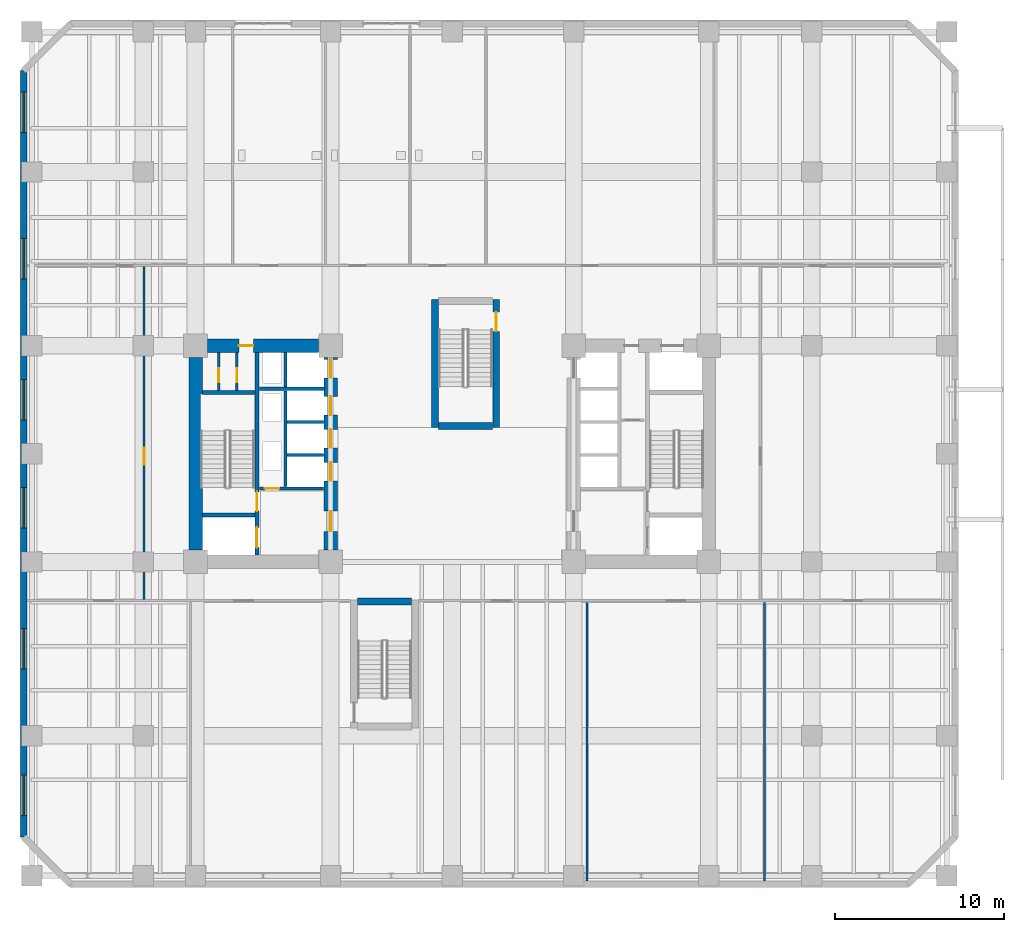
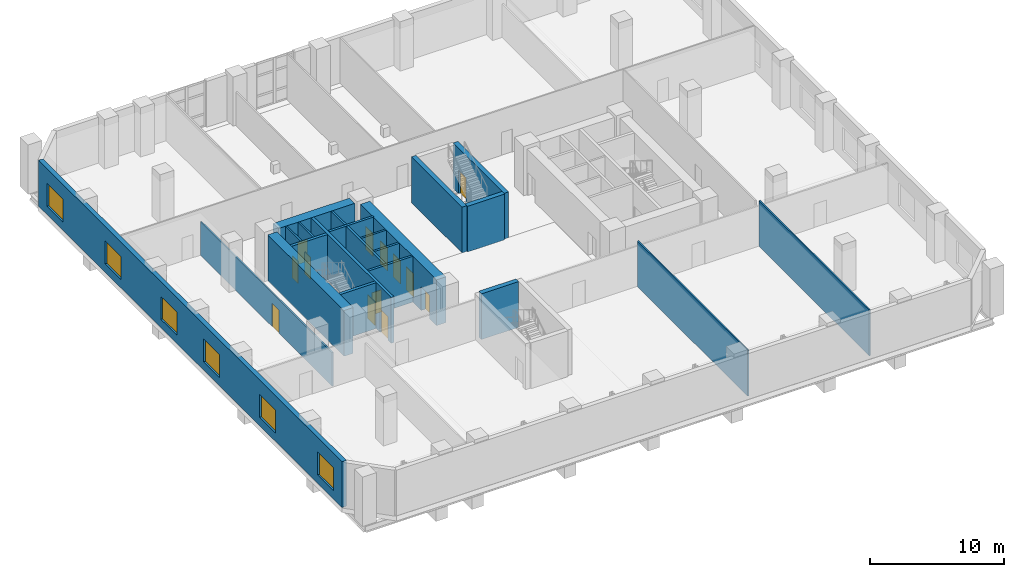
# One storey, part 7 of 15: 22 walls, 13 doors, 6 windows, 19 openings.
"""IFC4 building model written with IfcOpenShell, lengths in metres."""

from ifc_helpers import new_model, si_unit, direction, frame, frame_2d, origin, place, context, subcontext, project, spatial, rectangle, extrude, material, layer, layer_set, type_object, element, fill, save


model = new_model("IFC4")

# Units and contexts
model_context = context("Model", 3, precision=1e-05, world=origin(), true_north=direction((0.0, 1.0)))
body_context = subcontext(model_context, "Body", "Model", "MODEL_VIEW")
ifc_project = project(units=[si_unit("LENGTHUNIT", "METRE"), si_unit("AREAUNIT", "SQUARE_METRE"), si_unit("VOLUMEUNIT", "CUBIC_METRE"), si_unit("PLANEANGLEUNIT", "RADIAN"), si_unit("MASSUNIT", "GRAM", prefix="KILO")], contexts=[model_context])

# Site, building, storey
site_placement = place(None, origin())
site = spatial("IfcSite", under=ifc_project, at=site_placement, CompositionType="ELEMENT")
building_placement = place(site_placement, origin())
building = spatial("IfcBuilding", under=site, at=building_placement, Name="Kranthara Brick Stack", CompositionType="ELEMENT")
storey_placement = place(building_placement, frame((0.0, 0.0, 5.39990234375)))
storey = spatial("IfcBuildingStorey", under=building, at=storey_placement, Name="L01", CompositionType="ELEMENT", Elevation=5.39990234375)

# Wall, openings, windows
ifc_material_1 = material(Name="Kiln-fired clay brick masonry M15", Category="masonry")
ifc_layer_1 = layer(ifc_material_1, 0.3798828125)
ifc_layer_set_1 = layer_set([ifc_layer_1], Name="Kiln-fired clay brick masonry M15")
wall_type_1 = type_object("IfcWallType", Name="WL-BRK-PIER-380", PredefinedType="STANDARD", material=ifc_layer_set_1)
wall_1_placement = place(storey_placement, frame((2.610107421875, 4.5, 0.0), z_axis=(0.0, 0.0, 1.0), x_axis=(0.0, 1.0, 0.0)))
wall_1 = element("IfcWall", 1, at=wall_1_placement, inside=storey, type_object=wall_type_1, Name="L01 Exterior Brick Facade Wall WEST 1", PredefinedType="STANDARD", context=body_context, shape_type="SweptSolid", body=[
    extrude(rectangle(XDim=45.39990234375, YDim=0.3798828125, at=frame_2d((22.699951171875, 0.0))), origin(), (0.0, 0.0, 1.0), 4.18017578125),
])
opening_1_placement = place(wall_1_placement, frame((1.27490234375, 0.0, 0.75)))
opening_1 = element("IfcOpeningElement", 2, at=opening_1_placement, cuts=wall_1, Name="Opening WN11", PredefinedType="OPENING", context=body_context, shape_type="SweptSolid", body=[
    extrude(rectangle(XDim=2.39990234375, YDim=2.10009765625, at=frame_2d((1.199951171875, 1.050048828125))), frame((0.0, 0.199951171875, 0.0), z_axis=(0.0, -1.0, 0.0), x_axis=(1.0, 0.0, 0.0)), (0.0, 0.0, 1.0), 0.39990234375),
])
opening_2_placement = place(wall_1_placement, frame((9.949951171875, 0.0, 0.75)))
opening_2 = element("IfcOpeningElement", 3, at=opening_2_placement, cuts=wall_1, Name="Opening WN11", PredefinedType="OPENING", context=body_context, shape_type="SweptSolid", body=[
    extrude(rectangle(XDim=2.39990234375, YDim=2.10009765625, at=frame_2d((1.199951171875, 1.050048828125))), frame((0.0, 0.199951171875, 0.0), z_axis=(0.0, -1.0, 0.0), x_axis=(1.0, 0.0, 0.0)), (0.0, 0.0, 1.0), 0.39990234375),
])
opening_3_placement = place(wall_1_placement, frame((18.300048828125, 0.0, 0.75)))
opening_3 = element("IfcOpeningElement", 4, at=opening_3_placement, cuts=wall_1, Name="Opening WN11", PredefinedType="OPENING", context=body_context, shape_type="SweptSolid", body=[
    extrude(rectangle(XDim=2.39990234375, YDim=2.10009765625, at=frame_2d((1.199951171875, 1.050048828125))), frame((0.0, 0.199951171875, 0.0), z_axis=(0.0, -1.0, 0.0), x_axis=(1.0, 0.0, 0.0)), (0.0, 0.0, 1.0), 0.39990234375),
])
opening_4_placement = place(wall_1_placement, frame((24.699951171875, 0.0, 0.75)))
opening_4 = element("IfcOpeningElement", 5, at=opening_4_placement, cuts=wall_1, Name="Opening WN11", PredefinedType="OPENING", context=body_context, shape_type="SweptSolid", body=[
    extrude(rectangle(XDim=2.39990234375, YDim=2.10009765625, at=frame_2d((1.199951171875, 1.050048828125))), frame((0.0, 0.199951171875, 0.0), z_axis=(0.0, -1.0, 0.0), x_axis=(1.0, 0.0, 0.0)), (0.0, 0.0, 1.0), 0.39990234375),
])
opening_5_placement = place(wall_1_placement, frame((33.050048828125, 0.0, 0.75)))
opening_5 = element("IfcOpeningElement", 6, at=opening_5_placement, cuts=wall_1, Name="Opening WN11", PredefinedType="OPENING", context=body_context, shape_type="SweptSolid", body=[
    extrude(rectangle(XDim=2.39990234375, YDim=2.10009765625, at=frame_2d((1.199951171875, 1.050048828125))), frame((0.0, 0.199951171875, 0.0), z_axis=(0.0, -1.0, 0.0), x_axis=(1.0, 0.0, 0.0)), (0.0, 0.0, 1.0), 0.39990234375),
])
opening_6_placement = place(wall_1_placement, frame((41.72509765625, 0.0, 0.75)))
opening_6 = element("IfcOpeningElement", 7, at=opening_6_placement, cuts=wall_1, Name="Opening WN11", PredefinedType="OPENING", context=body_context, shape_type="SweptSolid", body=[
    extrude(rectangle(XDim=2.39990234375, YDim=2.10009765625, at=frame_2d((1.199951171875, 1.050048828125))), frame((0.0, 0.199951171875, 0.0), z_axis=(0.0, -1.0, 0.0), x_axis=(1.0, 0.0, 0.0)), (0.0, 0.0, 1.0), 0.39990234375),
])
ifc_material_2 = material(Name="Double-glazed low-E solar control glass", Category="glass")
window_type = type_object("IfcWindowType", Name="WN-POD-2400x2100", PartitioningType="TRIPLE_PANEL_VERTICAL", PredefinedType="WINDOW", material=ifc_material_2)
window_1_placement = place(opening_1_placement, origin())
window_1 = element("IfcWindow", 8, at=window_1_placement, inside=storey, type_object=window_type, Name="L01 WEST Podium Window", OverallHeight=2.10009765625, OverallWidth=2.39990234375, PartitioningType="SINGLE_PANEL", PredefinedType="WINDOW", context=body_context, shape_type="SweptSolid", body=[
    extrude(rectangle(XDim=2.39990234375, YDim=2.10009765625, at=frame_2d((1.199951171875, 1.050048828125))), frame((0.0, 0.030029296875, 0.0), z_axis=(0.0, -1.0, 0.0), x_axis=(1.0, 0.0, 0.0)), (0.0, 0.0, 1.0), 0.06005859375),
])
fill(opening_1, window_1)
window_2_placement = place(opening_2_placement, origin())
window_2 = element("IfcWindow", 9, at=window_2_placement, inside=storey, type_object=window_type, Name="L01 WEST Podium Window", OverallHeight=2.10009765625, OverallWidth=2.39990234375, PartitioningType="SINGLE_PANEL", PredefinedType="WINDOW", context=body_context, shape_type="SweptSolid", body=[
    extrude(rectangle(XDim=2.39990234375, YDim=2.10009765625, at=frame_2d((1.199951171875, 1.050048828125))), frame((0.0, 0.030029296875, 0.0), z_axis=(0.0, -1.0, 0.0), x_axis=(1.0, 0.0, 0.0)), (0.0, 0.0, 1.0), 0.06005859375),
])
fill(opening_2, window_2)
window_3_placement = place(opening_3_placement, origin())
window_3 = element("IfcWindow", 10, at=window_3_placement, inside=storey, type_object=window_type, Name="L01 WEST Podium Window", OverallHeight=2.10009765625, OverallWidth=2.39990234375, PartitioningType="SINGLE_PANEL", PredefinedType="WINDOW", context=body_context, shape_type="SweptSolid", body=[
    extrude(rectangle(XDim=2.39990234375, YDim=2.10009765625, at=frame_2d((1.199951171875, 1.050048828125))), frame((0.0, 0.030029296875, 0.0), z_axis=(0.0, -1.0, 0.0), x_axis=(1.0, 0.0, 0.0)), (0.0, 0.0, 1.0), 0.06005859375),
])
fill(opening_3, window_3)
window_4_placement = place(opening_4_placement, origin())
window_4 = element("IfcWindow", 11, at=window_4_placement, inside=storey, type_object=window_type, Name="L01 WEST Podium Window", OverallHeight=2.10009765625, OverallWidth=2.39990234375, PartitioningType="SINGLE_PANEL", PredefinedType="WINDOW", context=body_context, shape_type="SweptSolid", body=[
    extrude(rectangle(XDim=2.39990234375, YDim=2.10009765625, at=frame_2d((1.199951171875, 1.050048828125))), frame((0.0, 0.030029296875, 0.0), z_axis=(0.0, -1.0, 0.0), x_axis=(1.0, 0.0, 0.0)), (0.0, 0.0, 1.0), 0.06005859375),
])
fill(opening_4, window_4)
window_5_placement = place(opening_5_placement, origin())
window_5 = element("IfcWindow", 12, at=window_5_placement, inside=storey, type_object=window_type, Name="L01 WEST Podium Window", OverallHeight=2.10009765625, OverallWidth=2.39990234375, PartitioningType="SINGLE_PANEL", PredefinedType="WINDOW", context=body_context, shape_type="SweptSolid", body=[
    extrude(rectangle(XDim=2.39990234375, YDim=2.10009765625, at=frame_2d((1.199951171875, 1.050048828125))), frame((0.0, 0.030029296875, 0.0), z_axis=(0.0, -1.0, 0.0), x_axis=(1.0, 0.0, 0.0)), (0.0, 0.0, 1.0), 0.06005859375),
])
fill(opening_5, window_5)
window_6_placement = place(opening_6_placement, origin())
window_6 = element("IfcWindow", 13, at=window_6_placement, inside=storey, type_object=window_type, Name="L01 WEST Podium Window", OverallHeight=2.10009765625, OverallWidth=2.39990234375, PartitioningType="SINGLE_PANEL", PredefinedType="WINDOW", context=body_context, shape_type="SweptSolid", body=[
    extrude(rectangle(XDim=2.39990234375, YDim=2.10009765625, at=frame_2d((1.199951171875, 1.050048828125))), frame((0.0, 0.030029296875, 0.0), z_axis=(0.0, -1.0, 0.0), x_axis=(1.0, 0.0, 0.0)), (0.0, 0.0, 1.0), 0.06005859375),
])
fill(opening_6, window_6)

# Wall, openings, doors
ifc_material_3 = material(Name="Concrete C50/60", Category="concrete")
ifc_layer_2 = layer(ifc_material_3, 0.25)
ifc_layer_set_2 = layer_set([ifc_layer_2], Name="Concrete C50/60")
wall_type_2 = type_object("IfcWallType", Name="WL-CORE-250", PredefinedType="SHEAR", material=ifc_layer_set_2)
wall_2_placement = place(storey_placement, frame((16.43505859375, 21.2099609375, 0.0), z_axis=(0.0, 0.0, 1.0), x_axis=(0.0, 1.0, 0.0)))
wall_2 = element("IfcWall", 14, at=wall_2_placement, inside=storey, type_object=wall_type_2, Name="L01 West Core Stair Bearing Spine Wall", PredefinedType="SHEAR", context=body_context, shape_type="SweptSolid", body=[
    extrude(rectangle(XDim=11.97998046875, YDim=0.25, at=frame_2d((5.989990234375, 0.0))), origin(), (0.0, 0.0, 1.0), 4.18017578125),
])
opening_7_placement = place(wall_2_placement, frame((0.43994140625, 0.0, 0.0)))
opening_7 = element("IfcOpeningElement", 15, at=opening_7_placement, cuts=wall_2, Name="Opening LD01", PredefinedType="OPENING", context=body_context, shape_type="SweptSolid", body=[
    extrude(rectangle(XDim=1.199951171875, YDim=2.14990234375, at=frame_2d((0.60009765625, 1.074951171875))), frame((0.0, 0.135009765625, 0.0), z_axis=(0.0, -1.0, 0.0), x_axis=(1.0, 0.0, 0.0)), (0.0, 0.0, 1.0), 0.27001953125),
])
opening_8_placement = place(wall_2_placement, frame((2.590087890625, 0.0, 0.0)))
opening_8 = element("IfcOpeningElement", 16, at=opening_8_placement, cuts=wall_2, Name="Opening D05", PredefinedType="OPENING", context=body_context, shape_type="SweptSolid", body=[
    extrude(rectangle(XDim=1.14990234375, YDim=2.14990234375, at=frame_2d((0.574951171875, 1.074951171875))), frame((0.0, 0.135009765625, 0.0), z_axis=(0.0, -1.0, 0.0), x_axis=(1.0, 0.0, 0.0)), (0.0, 0.0, 1.0), 0.27001953125),
])
ifc_material_4 = material(Name="Stainless steel sliding landing door", Category="steel")
door_type_1 = type_object("IfcDoorType", Name="DR-LD-FF1200", OperationType="DOUBLE_DOOR_SLIDING", PredefinedType="DOOR", material=ifc_material_4)
door_1_placement = place(opening_7_placement, origin())
door_1 = element("IfcDoor", 17, at=door_1_placement, inside=storey, type_object=door_type_1, Name="L01 Firefighting Lift FF-01 Landing Door", OperationType="DOUBLE_DOOR_SLIDING", OverallHeight=2.14990234375, OverallWidth=1.199951171875, PredefinedType="DOOR", context=body_context, shape_type="SweptSolid", body=[
    extrude(rectangle(XDim=1.199951171875, YDim=2.14990234375, at=frame_2d((0.60009765625, 1.074951171875))), frame((0.0, 0.02490234375, 0.0), z_axis=(0.0, -1.0, 0.0), x_axis=(1.0, 0.0, 0.0)), (0.0, 0.0, 1.0), 0.050048828125),
])
fill(opening_7, door_1)
ifc_material_5 = material(Name="Solid-core hardwood timber leaf in steel frame", Category="steel")
door_type_2 = type_object("IfcDoorType", Name="DR-ST-1150", OperationType="NOTDEFINED", PredefinedType="DOOR", material=ifc_material_5)
door_2_placement = place(opening_8_placement, origin())
door_2 = element("IfcDoor", 18, at=door_2_placement, inside=storey, type_object=door_type_2, Name="L01 Exit Stair ST01 Door", OperationType="SINGLE_SWING_RIGHT", OverallHeight=2.14990234375, OverallWidth=1.14990234375, PredefinedType="DOOR", context=body_context, shape_type="SweptSolid", body=[
    extrude(rectangle(XDim=1.14990234375, YDim=2.14990234375, at=frame_2d((0.574951171875, 1.074951171875))), frame((0.0, 0.02490234375, 0.0), z_axis=(0.0, -1.0, 0.0), x_axis=(1.0, 0.0, 0.0)), (0.0, 0.0, 1.0), 0.050048828125),
])
fill(opening_8, door_2)

# Walls
for number, where, z_axis, x_axis, name in (
    (19, (13.2099609375, 23.570068359375, 0.0), (0.0, 0.0, 1.0), (1.0, 0.0, 0.0), "L01 West Stairwell Bearing Wall WFF"),
    (20, (13.2099609375, 30.830078125, 0.0), (0.0, 0.0, 1.0), (1.0, 0.0, 0.0), "L01 West Stairwell Bearing Wall WST"),
):
    element("IfcWall", number, at=place(storey_placement, frame(where, z_axis=z_axis, x_axis=x_axis)), inside=storey, type_object=wall_type_2, Name=name, PredefinedType="SHEAR", context=body_context, shape_type="SweptSolid", body=[
        extrude(rectangle(XDim=3.10009765625, YDim=0.25, at=frame_2d((1.550048828125, 0.0))), origin(), (0.0, 0.0, 1.0), 4.18017578125),
    ])
ifc_material_6 = material(Name="Concrete C50/60", Category="concrete")
ifc_layer_3 = layer(ifc_material_6, 0.39990234375)
ifc_layer_set_3 = layer_set([ifc_layer_3], Name="Concrete C50/60")
wall_type_3 = type_object("IfcWallType", Name="WL-CORE-400", PredefinedType="SHEAR", material=ifc_layer_set_3)
wall_3_placement = place(storey_placement, frame((22.39990234375, 18.449951171875, 0.0), z_axis=(0.0, 0.0, 1.0), x_axis=(1.0, 0.0, 0.0)))
element("IfcWall", 21, at=wall_3_placement, inside=storey, type_object=wall_type_3, Name="L01 Stair ST03 Bearing Wall N", PredefinedType="SHEAR", context=body_context, shape_type="SweptSolid", body=[
    extrude(rectangle(XDim=3.2001953125, YDim=0.39990234375, at=frame_2d((1.60009765625, 0.0))), origin(), (0.0, 0.0, 1.0), 4.18017578125),
])
wall_4_placement = place(storey_placement, frame((26.989990234375, 28.75, 0.0), z_axis=(0.0, 0.0, 1.0), x_axis=(0.0, 1.0, 0.0)))
element("IfcWall", 22, at=wall_4_placement, inside=storey, type_object=wall_type_3, Name="L01 Stair ST04 Bearing Wall W", PredefinedType="SHEAR", context=body_context, shape_type="SweptSolid", body=[
    extrude(rectangle(XDim=7.60009765625, YDim=0.39990234375, at=frame_2d((3.800048828125, 0.0))), origin(), (0.0, 0.0, 1.0), 4.18017578125),
])

# Wall, opening, door
wall_5_placement = place(storey_placement, frame((30.610107421875, 28.75, 0.0), z_axis=(0.0, 0.0, 1.0), x_axis=(0.0, 1.0, 0.0)))
wall_5 = element("IfcWall", 23, at=wall_5_placement, inside=storey, type_object=wall_type_3, Name="L01 Stair ST04 Bearing Wall E", PredefinedType="SHEAR", context=body_context, shape_type="SweptSolid", body=[
    extrude(rectangle(XDim=7.60009765625, YDim=0.39990234375, at=frame_2d((3.800048828125, 0.0))), origin(), (0.0, 0.0, 1.0), 4.18017578125),
])
opening_9_placement = place(wall_5_placement, frame((5.699951171875, 0.0, 0.0)))
opening_9 = element("IfcOpeningElement", 24, at=opening_9_placement, cuts=wall_5, Name="Opening D05", PredefinedType="OPENING", context=body_context, shape_type="SweptSolid", body=[
    extrude(rectangle(XDim=1.14990234375, YDim=2.14990234375, at=frame_2d((0.574951171875, 1.074951171875))), frame((0.0, 0.2099609375, 0.0), z_axis=(0.0, -1.0, 0.0), x_axis=(1.0, 0.0, 0.0)), (0.0, 0.0, 1.0), 0.419921875),
])
door_3_placement = place(opening_9_placement, origin())
door_3 = element("IfcDoor", 25, at=door_3_placement, inside=storey, type_object=door_type_2, Name="L01 Stair ST04 Door", OperationType="SINGLE_SWING_RIGHT", OverallHeight=2.14990234375, OverallWidth=1.14990234375, PredefinedType="DOOR", context=body_context, shape_type="SweptSolid", body=[
    extrude(rectangle(XDim=1.14990234375, YDim=2.14990234375, at=frame_2d((0.574951171875, 1.074951171875))), frame((0.0, 0.02490234375, 0.0), z_axis=(0.0, -1.0, 0.0), x_axis=(1.0, 0.0, 0.0)), (0.0, 0.0, 1.0), 0.050048828125),
])
fill(opening_9, door_3)

# Walls
wall_6_placement = place(storey_placement, frame((27.199951171875, 28.85009765625, 0.0), z_axis=(0.0, 0.0, 1.0), x_axis=(1.0, 0.0, 0.0)))
element("IfcWall", 26, at=wall_6_placement, inside=storey, type_object=wall_type_3, Name="L01 Stair ST04 Bearing Wall S", PredefinedType="SHEAR", context=body_context, shape_type="SweptSolid", body=[
    extrude(rectangle(XDim=3.199951171875, YDim=0.39990234375, at=frame_2d((1.60009765625, 0.0))), origin(), (0.0, 0.0, 1.0), 4.18017578125),
])
ifc_material_7 = material(Name="Concrete C70/85", Category="concrete")
ifc_layer_4 = layer(ifc_material_7, 0.800048828125)
ifc_layer_set_4 = layer_set([ifc_layer_4], Name="Concrete C70/85")
wall_type_4 = type_object("IfcWallType", Name="WL-CORE-800", PredefinedType="SHEAR", material=ifc_layer_set_4)
wall_7_placement = place(storey_placement, frame((12.800048828125, 21.5048828125, 0.0), z_axis=(0.0, 0.0, 1.0), x_axis=(0.0, 1.0, 0.0)))
element("IfcWall", 27, at=wall_7_placement, inside=storey, type_object=wall_type_4, Name="L01 West Core Shear Wall West", PredefinedType="SHEAR", context=body_context, shape_type="SweptSolid", body=[
    extrude(rectangle(XDim=11.39013671875, YDim=0.800048828125, at=frame_2d((5.695068359375, 0.0))), origin(), (0.0, 0.0, 1.0), 4.18017578125),
])

# Wall, opening, door
wall_8_placement = place(storey_placement, frame((13.5048828125, 33.60009765625, 0.0), z_axis=(0.0, 0.0, 1.0), x_axis=(1.0, 0.0, 0.0)))
wall_8 = element("IfcWall", 28, at=wall_8_placement, inside=storey, type_object=wall_type_4, Name="L01 West Core Shear Wall North", PredefinedType="SHEAR", context=body_context, shape_type="SweptSolid", body=[
    extrude(rectangle(XDim=6.590087890625, YDim=0.800048828125, at=frame_2d((3.294921875, 0.0))), origin(), (0.0, 0.0, 1.0), 4.18017578125),
])
opening_10_placement = place(wall_8_placement, frame((1.864990234375, 0.0, 0.0)))
opening_10 = element("IfcOpeningElement", 29, at=opening_10_placement, cuts=wall_8, Name="Opening D10", PredefinedType="OPENING", context=body_context, shape_type="SweptSolid", body=[
    extrude(rectangle(XDim=0.85009765625, YDim=2.02001953125, at=frame_2d((0.425048828125, 1.010009765625))), frame((0.0, 0.409912109375, 0.0), z_axis=(0.0, -1.0, 0.0), x_axis=(1.0, 0.0, 0.0)), (0.0, 0.0, 1.0), 0.820068359375),
])
ifc_material_8 = material(Name="Solid-core hardwood timber leaf in steel frame", Category="steel")
door_type_3 = type_object("IfcDoorType", Name="DR-RSR-850", OperationType="NOTDEFINED", PredefinedType="DOOR", material=ifc_material_8)
door_4_placement = place(opening_10_placement, origin())
door_4 = element("IfcDoor", 30, at=door_4_placement, inside=storey, type_object=door_type_3, Name="L01 West Core Service Door 1", OperationType="SINGLE_SWING_RIGHT", OverallHeight=2.02001953125, OverallWidth=0.85009765625, PredefinedType="DOOR", context=body_context, shape_type="SweptSolid", body=[
    extrude(rectangle(XDim=0.85009765625, YDim=2.02001953125, at=frame_2d((0.425048828125, 1.010009765625))), frame((0.0, 0.02490234375, 0.0), z_axis=(0.0, -1.0, 0.0), x_axis=(1.0, 0.0, 0.0)), (0.0, 0.0, 1.0), 0.050048828125),
])
fill(opening_10, door_4)

# Wall, openings, doors
wall_9_placement = place(storey_placement, frame((20.800048828125, 21.5048828125, 0.0), z_axis=(0.0, 0.0, 1.0), x_axis=(0.0, 1.0, 0.0)))
wall_9 = element("IfcWall", 31, at=wall_9_placement, inside=storey, type_object=wall_type_4, Name="L01 West Core Shear Wall East", PredefinedType="SHEAR", context=body_context, shape_type="SweptSolid", body=[
    extrude(rectangle(XDim=11.39013671875, YDim=0.800048828125, at=frame_2d((5.695068359375, 0.0))), origin(), (0.0, 0.0, 1.0), 4.18017578125),
])
opening_11_placement = place(wall_9_placement, frame((1.094970703125, 0.0, 0.0)))
opening_11 = element("IfcOpeningElement", 32, at=opening_11_placement, cuts=wall_9, Name="Opening D06", PredefinedType="OPENING", context=body_context, shape_type="SweptSolid", body=[
    extrude(rectangle(XDim=1.199951171875, YDim=2.14990234375, at=frame_2d((0.60009765625, 1.074951171875))), frame((0.0, 0.409912109375, 0.0), z_axis=(0.0, -1.0, 0.0), x_axis=(1.0, 0.0, 0.0)), (0.0, 0.0, 1.0), 0.820068359375),
])
opening_12_placement = place(wall_9_placement, frame((4.094970703125, 0.0, 0.0)))
opening_12 = element("IfcOpeningElement", 33, at=opening_12_placement, cuts=wall_9, Name="Opening LD02", PredefinedType="OPENING", context=body_context, shape_type="SweptSolid", body=[
    extrude(rectangle(XDim=1.10009765625, YDim=2.10009765625, at=frame_2d((0.550048828125, 1.050048828125))), frame((0.0, 0.409912109375, 0.0), z_axis=(0.0, -1.0, 0.0), x_axis=(1.0, 0.0, 0.0)), (0.0, 0.0, 1.0), 0.820068359375),
])
opening_13_placement = place(wall_9_placement, frame((6.044921875, 0.0, 0.0)))
opening_13 = element("IfcOpeningElement", 34, at=opening_13_placement, cuts=wall_9, Name="Opening LD02", PredefinedType="OPENING", context=body_context, shape_type="SweptSolid", body=[
    extrude(rectangle(XDim=1.10009765625, YDim=2.10009765625, at=frame_2d((0.550048828125, 1.050048828125))), frame((0.0, 0.409912109375, 0.0), z_axis=(0.0, -1.0, 0.0), x_axis=(1.0, 0.0, 0.0)), (0.0, 0.0, 1.0), 0.820068359375),
])
opening_14_placement = place(wall_9_placement, frame((7.9951171875, 0.0, 0.0)))
opening_14 = element("IfcOpeningElement", 35, at=opening_14_placement, cuts=wall_9, Name="Opening LD02", PredefinedType="OPENING", context=body_context, shape_type="SweptSolid", body=[
    extrude(rectangle(XDim=1.10009765625, YDim=2.10009765625, at=frame_2d((0.550048828125, 1.050048828125))), frame((0.0, 0.409912109375, 0.0), z_axis=(0.0, -1.0, 0.0), x_axis=(1.0, 0.0, 0.0)), (0.0, 0.0, 1.0), 0.820068359375),
])
opening_15_placement = place(wall_9_placement, frame((10.195068359375, 0.0, 0.0)))
opening_15 = element("IfcOpeningElement", 36, at=opening_15_placement, cuts=wall_9, Name="Opening LD02", PredefinedType="OPENING", context=body_context, shape_type="SweptSolid", body=[
    extrude(rectangle(XDim=1.10009765625, YDim=2.10009765625, at=frame_2d((0.550048828125, 1.050048828125))), frame((0.0, 0.409912109375, 0.0), z_axis=(0.0, -1.0, 0.0), x_axis=(1.0, 0.0, 0.0)), (0.0, 0.0, 1.0), 0.820068359375),
])
ifc_material_9 = material(Name="Solid-core hardwood timber leaf in steel frame", Category="steel")
door_type_4 = type_object("IfcDoorType", Name="DR-FFL-1200", OperationType="NOTDEFINED", PredefinedType="DOOR", material=ifc_material_9)
door_5_placement = place(opening_11_placement, origin())
door_5 = element("IfcDoor", 37, at=door_5_placement, inside=storey, type_object=door_type_4, Name="L01 West Firefighting Lobby Door", OperationType="SINGLE_SWING_LEFT", OverallHeight=2.14990234375, OverallWidth=1.199951171875, PredefinedType="DOOR", context=body_context, shape_type="SweptSolid", body=[
    extrude(rectangle(XDim=1.199951171875, YDim=2.14990234375, at=frame_2d((0.60009765625, 1.074951171875))), frame((0.0, 0.02490234375, 0.0), z_axis=(0.0, -1.0, 0.0), x_axis=(1.0, 0.0, 0.0)), (0.0, 0.0, 1.0), 0.050048828125),
])
fill(opening_11, door_5)
ifc_material_10 = material(Name="Stainless steel sliding landing door", Category="steel")
door_type_5 = type_object("IfcDoorType", Name="DR-LD-PL1100", OperationType="DOUBLE_DOOR_SLIDING", PredefinedType="DOOR", material=ifc_material_10)
door_6_placement = place(opening_12_placement, origin())
door_6 = element("IfcDoor", 38, at=door_6_placement, inside=storey, type_object=door_type_5, Name="L01 PL-01 Lift Landing Door", OperationType="DOUBLE_DOOR_SLIDING", OverallHeight=2.10009765625, OverallWidth=1.10009765625, PredefinedType="DOOR", context=body_context, shape_type="SweptSolid", body=[
    extrude(rectangle(XDim=1.10009765625, YDim=2.10009765625, at=frame_2d((0.550048828125, 1.050048828125))), frame((0.0, 0.02490234375, 0.0), z_axis=(0.0, -1.0, 0.0), x_axis=(1.0, 0.0, 0.0)), (0.0, 0.0, 1.0), 0.050048828125),
])
fill(opening_12, door_6)
door_7_placement = place(opening_13_placement, origin())
door_7 = element("IfcDoor", 39, at=door_7_placement, inside=storey, type_object=door_type_5, Name="L01 PL-02 Lift Landing Door", OperationType="DOUBLE_DOOR_SLIDING", OverallHeight=2.10009765625, OverallWidth=1.10009765625, PredefinedType="DOOR", context=body_context, shape_type="SweptSolid", body=[
    extrude(rectangle(XDim=1.10009765625, YDim=2.10009765625, at=frame_2d((0.550048828125, 1.050048828125))), frame((0.0, 0.02490234375, 0.0), z_axis=(0.0, -1.0, 0.0), x_axis=(1.0, 0.0, 0.0)), (0.0, 0.0, 1.0), 0.050048828125),
])
fill(opening_13, door_7)
door_8_placement = place(opening_14_placement, origin())
door_8 = element("IfcDoor", 40, at=door_8_placement, inside=storey, type_object=door_type_5, Name="L01 PL-03 Lift Landing Door", OperationType="DOUBLE_DOOR_SLIDING", OverallHeight=2.10009765625, OverallWidth=1.10009765625, PredefinedType="DOOR", context=body_context, shape_type="SweptSolid", body=[
    extrude(rectangle(XDim=1.10009765625, YDim=2.10009765625, at=frame_2d((0.550048828125, 1.050048828125))), frame((0.0, 0.02490234375, 0.0), z_axis=(0.0, -1.0, 0.0), x_axis=(1.0, 0.0, 0.0)), (0.0, 0.0, 1.0), 0.050048828125),
])
fill(opening_14, door_8)
door_9_placement = place(opening_15_placement, origin())
door_9 = element("IfcDoor", 41, at=door_9_placement, inside=storey, type_object=door_type_5, Name="L01 PL-07 Lift Landing Door", OperationType="DOUBLE_DOOR_SLIDING", OverallHeight=2.10009765625, OverallWidth=1.10009765625, PredefinedType="DOOR", context=body_context, shape_type="SweptSolid", body=[
    extrude(rectangle(XDim=1.10009765625, YDim=2.10009765625, at=frame_2d((0.550048828125, 1.050048828125))), frame((0.0, 0.02490234375, 0.0), z_axis=(0.0, -1.0, 0.0), x_axis=(1.0, 0.0, 0.0)), (0.0, 0.0, 1.0), 0.050048828125),
])
fill(opening_15, door_9)

# Walls
ifc_material_11 = material(Name="Acoustic gypsum plasterboard partition", Category="other")
ifc_layer_5 = layer(ifc_material_11, 0.1201171875)
ifc_layer_set_5 = layer_set([ifc_layer_5], Name="Acoustic gypsum plasterboard partition")
wall_type_5 = type_object("IfcWallType", Name="WL-PART-120", PredefinedType="PARTITIONING", material=ifc_layer_set_5)
for number, where, z_axis, x_axis, name in (
    (42, (36.0, 1.905029296875, 0.0), (0.0, 0.0, 1.0), (0.0, 1.0, 0.0), "L01 Interior Partition 007"),
    (43, (46.5, 1.905029296875, 0.0), (0.0, 0.0, 1.0), (0.0, 1.0, 0.0), "L01 Interior Partition 008"),
):
    element("IfcWall", number, at=place(storey_placement, frame(where, z_axis=z_axis, x_axis=x_axis)), inside=storey, type_object=wall_type_5, Name=name, PredefinedType="PARTITIONING", context=body_context, shape_type="SweptSolid", body=[
        extrude(rectangle(XDim=16.494873046875, YDim=0.1201171875, at=frame_2d((8.24755859375, 0.0))), origin(), (0.0, 0.0, 1.0), 4.18017578125),
    ])

# Wall, opening, door
wall_10_placement = place(storey_placement, frame((9.75, 18.56494140625, 0.0), z_axis=(0.0, 0.0, 1.0), x_axis=(0.0, 1.0, 0.0)))
wall_10 = element("IfcWall", 44, at=wall_10_placement, inside=storey, type_object=wall_type_5, Name="L01 Interior Partition 015", PredefinedType="PARTITIONING", context=body_context, shape_type="SweptSolid", body=[
    extrude(rectangle(XDim=19.719970703125, YDim=0.1201171875, at=frame_2d((9.85986328125, 0.0))), origin(), (0.0, 0.0, 1.0), 3.065185546875),
])
opening_16_placement = place(wall_10_placement, frame((7.985107421875, 0.0, 0.0)))
opening_16 = element("IfcOpeningElement", 45, at=opening_16_placement, cuts=wall_10, Name="Opening D13", PredefinedType="OPENING", context=body_context, shape_type="SweptSolid", body=[
    extrude(rectangle(XDim=1.0, YDim=2.10009765625, at=frame_2d((0.5, 1.050048828125))), frame((0.0, 0.070068359375, 0.0), z_axis=(0.0, -1.0, 0.0), x_axis=(1.0, 0.0, 0.0)), (0.0, 0.0, 1.0), 0.14013671875),
])
ifc_material_12 = material(Name="Solid-core hardwood timber leaf in steel frame", Category="steel")
door_type_6 = type_object("IfcDoorType", Name="DR-INT-1000", OperationType="NOTDEFINED", PredefinedType="DOOR", material=ifc_material_12)
door_10_placement = place(opening_16_placement, origin())
door_10 = element("IfcDoor", 46, at=door_10_placement, inside=storey, type_object=door_type_6, Name="L01 West Gallery Office 15", OperationType="SINGLE_SWING_LEFT", OverallHeight=2.10009765625, OverallWidth=1.0, PredefinedType="DOOR", context=body_context, shape_type="SweptSolid", body=[
    extrude(rectangle(XDim=1.0, YDim=2.10009765625, at=frame_2d((0.5, 1.050048828125))), frame((0.0, 0.02490234375, 0.0), z_axis=(0.0, -1.0, 0.0), x_axis=(1.0, 0.0, 0.0)), (0.0, 0.0, 1.0), 0.050048828125),
])
fill(opening_16, door_10)

ifc_material_13 = material(Name="Fire-rated gypsum board partition", Category="other")
ifc_layer_6 = layer(ifc_material_13, 0.14990234375)
ifc_layer_set_6 = layer_set([ifc_layer_6], Name="Fire-rated gypsum board partition")
wall_type_6 = type_object("IfcWallType", Name="WL-PART-150", PredefinedType="PARTITIONING", material=ifc_layer_set_6)
wall_11_placement = place(storey_placement, frame((14.179931640625, 30.9599609375, 0.0), z_axis=(0.0, 0.0, 1.0), x_axis=(0.0, 1.0, 0.0)))
wall_11 = element("IfcWall", 47, at=wall_11_placement, inside=storey, type_object=wall_type_6, Name="L01 Interior Partition 001", PredefinedType="PARTITIONING", context=body_context, shape_type="SweptSolid", body=[
    extrude(rectangle(XDim=2.235107421875, YDim=0.14990234375, at=frame_2d((1.11767578125, 0.0))), origin(), (0.0, 0.0, 1.0), 4.18017578125),
])
opening_17_placement = place(wall_11_placement, frame((0.469970703125, 0.0, 0.0)))
opening_17 = element("IfcOpeningElement", 48, at=opening_17_placement, cuts=wall_11, Name="Opening D10", PredefinedType="OPENING", context=body_context, shape_type="SweptSolid", body=[
    extrude(rectangle(XDim=0.85009765625, YDim=2.02001953125, at=frame_2d((0.425048828125, 1.010009765625))), frame((0.0, 0.0849609375, 0.0), z_axis=(0.0, -1.0, 0.0), x_axis=(1.0, 0.0, 0.0)), (0.0, 0.0, 1.0), 0.169921875),
])
door_11_placement = place(opening_17_placement, origin())
door_11 = element("IfcDoor", 49, at=door_11_placement, inside=storey, type_object=door_type_3, Name="L01 Riser Door A 01", OperationType="SINGLE_SWING_LEFT", OverallHeight=2.02001953125, OverallWidth=0.85009765625, PredefinedType="DOOR", context=body_context, shape_type="SweptSolid", body=[
    extrude(rectangle(XDim=0.85009765625, YDim=2.02001953125, at=frame_2d((0.425048828125, 1.010009765625))), frame((0.0, 0.02490234375, 0.0), z_axis=(0.0, -1.0, 0.0), x_axis=(1.0, 0.0, 0.0)), (0.0, 0.0, 1.0), 0.050048828125),
])
fill(opening_17, door_11)

wall_12_placement = place(storey_placement, frame((15.25, 30.9599609375, 0.0), z_axis=(0.0, 0.0, 1.0), x_axis=(0.0, 1.0, 0.0)))
wall_12 = element("IfcWall", 50, at=wall_12_placement, inside=storey, type_object=wall_type_6, Name="L01 Interior Partition 002", PredefinedType="PARTITIONING", context=body_context, shape_type="SweptSolid", body=[
    extrude(rectangle(XDim=2.235107421875, YDim=0.14990234375, at=frame_2d((1.11767578125, 0.0))), origin(), (0.0, 0.0, 1.0), 4.18017578125),
])
opening_18_placement = place(wall_12_placement, frame((0.469970703125, 0.0, 0.0)))
opening_18 = element("IfcOpeningElement", 51, at=opening_18_placement, cuts=wall_12, Name="Opening D10", PredefinedType="OPENING", context=body_context, shape_type="SweptSolid", body=[
    extrude(rectangle(XDim=0.85009765625, YDim=2.02001953125, at=frame_2d((0.425048828125, 1.010009765625))), frame((0.0, 0.0849609375, 0.0), z_axis=(0.0, -1.0, 0.0), x_axis=(1.0, 0.0, 0.0)), (0.0, 0.0, 1.0), 0.169921875),
])
door_12_placement = place(opening_18_placement, origin())
door_12 = element("IfcDoor", 52, at=door_12_placement, inside=storey, type_object=door_type_3, Name="L01 Riser Door B 02", OperationType="SINGLE_SWING_RIGHT", OverallHeight=2.02001953125, OverallWidth=0.85009765625, PredefinedType="DOOR", context=body_context, shape_type="SweptSolid", body=[
    extrude(rectangle(XDim=0.85009765625, YDim=2.02001953125, at=frame_2d((0.425048828125, 1.010009765625))), frame((0.0, 0.02490234375, 0.0), z_axis=(0.0, -1.0, 0.0), x_axis=(1.0, 0.0, 0.0)), (0.0, 0.0, 1.0), 0.050048828125),
])
fill(opening_18, door_12)

# Walls
ifc_material_14 = material(Name="Gypsum plasterboard on acoustic twin stud", Category="other")
ifc_layer_7 = layer(ifc_material_14, 0.179931640625)
ifc_layer_set_7 = layer_set([ifc_layer_7], Name="Gypsum plasterboard on acoustic twin stud")
wall_type_7 = type_object("IfcWallType", Name="WL-PART-180", PredefinedType="PARTITIONING", material=ifc_layer_set_7)
wall_13_placement = place(storey_placement, frame((18.1201171875, 25.27001953125, 0.0), z_axis=(0.0, 0.0, 1.0), x_axis=(0.0, 1.0, 0.0)))
element("IfcWall", 53, at=wall_13_placement, inside=storey, type_object=wall_type_7, Name="L01 West Hoistway Wall WBK", PredefinedType="PARTITIONING", context=body_context, shape_type="SweptSolid", body=[
    extrude(rectangle(XDim=5.659912109375, YDim=0.179931640625, at=frame_2d((2.830078125, 0.0))), origin(), (0.0, 0.0, 1.0), 4.18017578125),
])
wall_14_placement = place(storey_placement, frame((18.1201171875, 31.169921875, 0.0), z_axis=(0.0, 0.0, 1.0), x_axis=(0.0, 1.0, 0.0)))
element("IfcWall", 54, at=wall_14_placement, inside=storey, type_object=wall_type_7, Name="L01 West Hoistway Wall WBK7", PredefinedType="PARTITIONING", context=body_context, shape_type="SweptSolid", body=[
    extrude(rectangle(XDim=2.02001953125, YDim=0.179931640625, at=frame_2d((1.010009765625, 0.0))), origin(), (0.0, 0.0, 1.0), 4.18017578125),
])
for number, where, z_axis, x_axis, name in (
    (55, (18.219970703125, 27.1201171875, 0.0), (0.0, 0.0, 1.0), (1.0, 0.0, 0.0), "L01 West Hoistway Wall WH1"),
    (56, (18.219970703125, 29.080078125, 0.0), (0.0, 0.0, 1.0), (1.0, 0.0, 0.0), "L01 West Hoistway Wall WH2"),
):
    element("IfcWall", number, at=place(storey_placement, frame(where, z_axis=z_axis, x_axis=x_axis)), inside=storey, type_object=wall_type_7, Name=name, PredefinedType="PARTITIONING", context=body_context, shape_type="SweptSolid", body=[
        extrude(rectangle(XDim=2.169921875, YDim=0.179931640625, at=frame_2d((1.0849609375, 0.0))), origin(), (0.0, 0.0, 1.0), 4.18017578125),
    ])

# Wall, opening, door
ifc_material_15 = material(Name="Concrete C40/50", Category="concrete")
ifc_layer_8 = layer(ifc_material_15, 0.199951171875)
ifc_layer_set_8 = layer_set([ifc_layer_8], Name="Concrete C40/50")
wall_type_8 = type_object("IfcWallType", Name="WL-PART-200", PredefinedType="SOLIDWALL", material=ifc_layer_set_8)
wall_15_placement = place(storey_placement, frame((16.60009765625, 25.14990234375, 0.0), z_axis=(0.0, 0.0, 1.0), x_axis=(1.0, 0.0, 0.0)))
wall_15 = element("IfcWall", 57, at=wall_15_placement, inside=storey, type_object=wall_type_8, Name="L01 West Core Cross Wall WFL", PredefinedType="SOLIDWALL", context=body_context, shape_type="SweptSolid", body=[
    extrude(rectangle(XDim=3.789794921875, YDim=0.199951171875, at=frame_2d((1.89501953125, 0.0))), origin(), (0.0, 0.0, 1.0), 4.18017578125),
])
opening_19_placement = place(wall_15_placement, frame((0.300048828125, 0.0, 0.0)))
opening_19 = element("IfcOpeningElement", 58, at=opening_19_placement, cuts=wall_15, Name="Opening D10", PredefinedType="OPENING", context=body_context, shape_type="SweptSolid", body=[
    extrude(rectangle(XDim=0.85009765625, YDim=2.02001953125, at=frame_2d((0.425048828125, 1.010009765625))), frame((0.0, 0.10986328125, 0.0), z_axis=(0.0, -1.0, 0.0), x_axis=(1.0, 0.0, 0.0)), (0.0, 0.0, 1.0), 0.219970703125),
])
door_13_placement = place(opening_19_placement, origin())
door_13 = element("IfcDoor", 59, at=door_13_placement, inside=storey, type_object=door_type_3, Name="L01 Mechanical Riser Access Door", OperationType="SINGLE_SWING_LEFT", OverallHeight=2.02001953125, OverallWidth=0.85009765625, PredefinedType="DOOR", context=body_context, shape_type="SweptSolid", body=[
    extrude(rectangle(XDim=0.85009765625, YDim=2.02001953125, at=frame_2d((0.425048828125, 1.010009765625))), frame((0.0, 0.02490234375, 0.0), z_axis=(0.0, -1.0, 0.0), x_axis=(1.0, 0.0, 0.0)), (0.0, 0.0, 1.0), 0.050048828125),
])
fill(opening_19, door_13)

# Wall
wall_16_placement = place(storey_placement, frame((16.60009765625, 31.050048828125, 0.0), z_axis=(0.0, 0.0, 1.0), x_axis=(1.0, 0.0, 0.0)))
element("IfcWall", 60, at=wall_16_placement, inside=storey, type_object=wall_type_8, Name="L01 West Core Cross Wall WH4", PredefinedType="SOLIDWALL", context=body_context, shape_type="SweptSolid", body=[
    extrude(rectangle(XDim=3.849853515625, YDim=0.199951171875, at=frame_2d((1.9248046875, 0.0))), origin(), (0.0, 0.0, 1.0), 4.18017578125),
])

save(model, "model.ifc")
